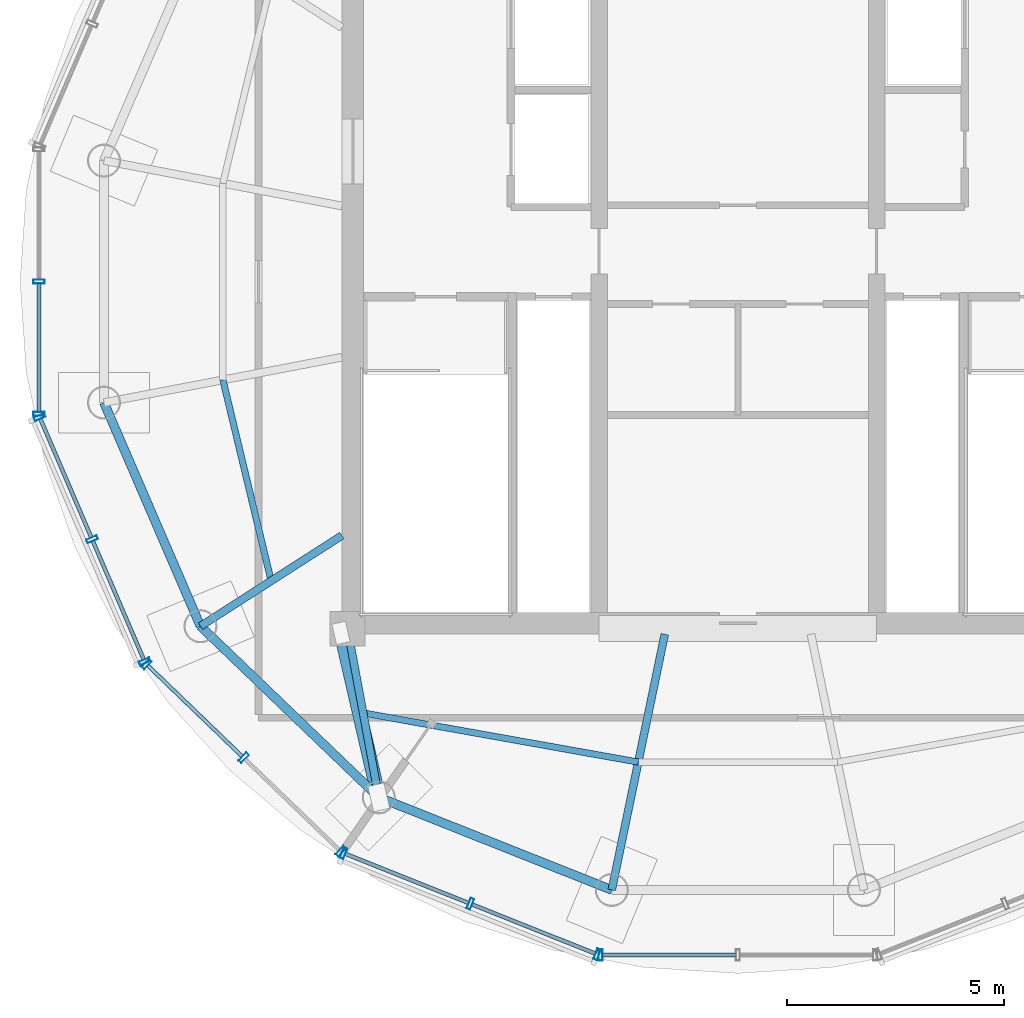
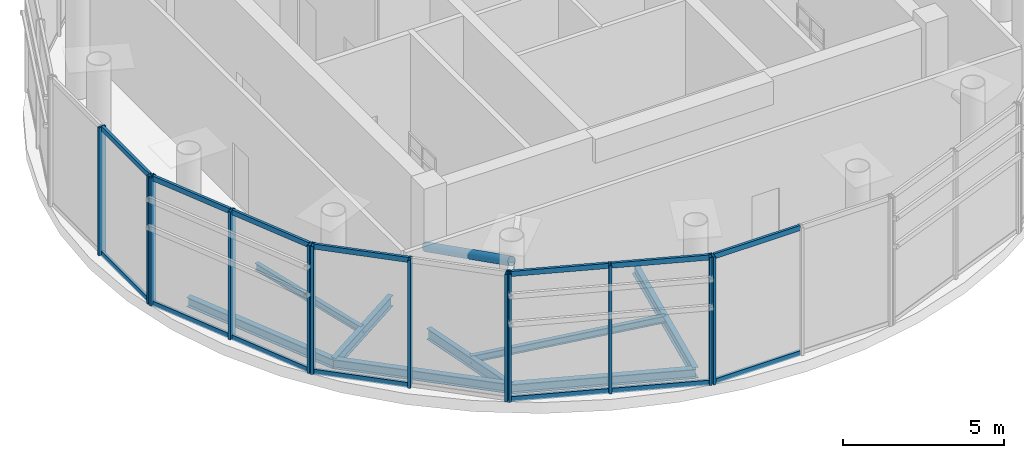
# One storey, part 2 of 13: 27 members, 8 beams, 5 elements without a shape of their own.
"""IFC4 building model written with IfcOpenShell, lengths in metres."""

from ifc_helpers import new_model, si_unit, direction, frame, origin, origin_2d, place, context, subcontext, project, spatial, hollow_rectangle, hollow_circle, i_section, extrude, source, transform, mapped, material, material_profile, profile_set, type_object, element, aggregate, save


model = new_model("IFC4")

# Units and contexts
model_context = context("Model", 3, precision=1e-05, world=origin(), true_north=direction((-0.2419218956, 0.970295726276)))
body_context = subcontext(model_context, "Body", "Model", "MODEL_VIEW")
ifc_project = project(units=[si_unit("LENGTHUNIT", "METRE"), si_unit("AREAUNIT", "SQUARE_METRE"), si_unit("VOLUMEUNIT", "CUBIC_METRE"), si_unit("PLANEANGLEUNIT", "RADIAN"), si_unit("MASSUNIT", "GRAM", prefix="KILO")], contexts=[model_context])

# Site, building, storey
site_placement = place(None, origin())
site = spatial("IfcSite", under=ifc_project, at=site_placement, CompositionType="ELEMENT")
building_placement = place(site_placement, origin())
building = spatial("IfcBuilding", under=site, at=building_placement, Name="Cobrevalo Terracotta Tower", CompositionType="ELEMENT")
storey_placement = place(building_placement, frame((0.0, 0.0, 332.10009765625)))
storey = spatial("IfcBuildingStorey", under=building, at=storey_placement, Name="L85", CompositionType="ELEMENT", Elevation=332.10009765625)

# Beams
ifc_material_1 = material(Name="Steel S355", Category="steel")
ifc_material_profile_1 = material_profile(ifc_material_1, i_section(OverallWidth=0.179931640625, OverallDepth=0.4130859375, WebThickness=0.009765625, FlangeThickness=0.01611328125, at=origin_2d()), Name="W 410x75")
ifc_profile_set_1 = profile_set([ifc_material_profile_1], Name="Steel S355")
beam_type_1 = type_object("IfcBeamType", Name="Structural Beam W 410x75 (Steel S355)", PredefinedType="BEAM", material=ifc_profile_set_1)
beam_1_placement = place(storey_placement, frame((25.611083984375, 18.855224609375, -0.626708984375), z_axis=(0.841794646381, 0.539797900444, 0.0), x_axis=(-0.539797900444, 0.841794646381, 0.0)))
element("IfcBeam", 1, at=beam_1_placement, inside=storey, type_object=beam_type_1, Name="L85 radial floor girder 10", PredefinedType="BEAM", context=body_context, shape_type="SweptSolid", body=[
    extrude(i_section(OverallWidth=0.179931640625, OverallDepth=0.4130859375, WebThickness=0.009765625, FlangeThickness=0.01611328125, at=origin_2d()), origin(), (0.0, 0.0, 1.0), 3.87158203125),
])
beam_2_placement = place(storey_placement, frame((29.721923828125, 14.909912109375, -0.626708984375), z_axis=(-0.182462670706, 0.983212781548, 0.0), x_axis=(-0.983212781548, -0.182462670706, 0.0)))
element("IfcBeam", 2, at=beam_2_placement, inside=storey, type_object=beam_type_1, Name="L85 radial floor girder 11", PredefinedType="BEAM", context=body_context, shape_type="SweptSolid", body=[
    extrude(i_section(OverallWidth=0.179931640625, OverallDepth=0.4130859375, WebThickness=0.009765625, FlangeThickness=0.01611328125, at=origin_2d()), origin(), (0.0, 0.0, 1.0), 3.95654296875),
])
beam_3_placement = place(storey_placement, frame((35.09326171875, 12.774658203125, -0.626708984375), z_axis=(0.202919370173, 0.979195449953, 0.0), x_axis=(-0.979195449953, 0.202919370173, 0.0)))
element("IfcBeam", 3, at=beam_3_placement, inside=storey, type_object=beam_type_1, Name="L85 radial floor girder 12", PredefinedType="BEAM", context=body_context, shape_type="SweptSolid", body=[
    extrude(i_section(OverallWidth=0.179931640625, OverallDepth=0.4130859375, WebThickness=0.009765625, FlangeThickness=0.01611328125, at=origin_2d()), origin(), (0.0, 0.0, 1.0), 6.0205078125),
])
ifc_material_profile_2 = material_profile(ifc_material_1, i_section(OverallWidth=0.14794921875, OverallDepth=0.26611328125, WebThickness=0.007568359375, FlangeThickness=0.012939453125, at=origin_2d()), Name="W 250x44.8")
ifc_profile_set_2 = profile_set([ifc_material_profile_2], Name="Steel S355")
beam_type_2 = type_object("IfcBeamType", Name="Structural Joist W 250x44.8 (Steel S355)", PredefinedType="JOIST", material=ifc_profile_set_2)
beam_4_placement = place(storey_placement, frame((26.128173828125, 24.53369140625, -0.552978515625), z_axis=(0.233423333819, -0.972375209078, 0.0), x_axis=(0.972375209078, 0.233423333819, 0.0)))
element("IfcBeam", 4, at=beam_4_placement, inside=storey, type_object=beam_type_2, Name="L85 circumferential secondary floor joist 09", PredefinedType="JOIST", context=body_context, shape_type="SweptSolid", body=[
    extrude(i_section(OverallWidth=0.14794921875, OverallDepth=0.26611328125, WebThickness=0.007568359375, FlangeThickness=0.012939453125, at=origin_2d()), origin(), (0.0, 0.0, 1.0), 4.76513671875),
])
beam_5_placement = place(storey_placement, frame((29.361083984375, 16.85498046875, -0.552978515625), z_axis=(0.984430619707, -0.175773590117, 0.0), x_axis=(0.175773590117, 0.984430619707, 0.0)))
element("IfcBeam", 5, at=beam_5_placement, inside=storey, type_object=beam_type_2, Name="L85 circumferential secondary floor joist 11", PredefinedType="JOIST", context=body_context, shape_type="SweptSolid", body=[
    extrude(i_section(OverallWidth=0.14794921875, OverallDepth=0.26611328125, WebThickness=0.007568359375, FlangeThickness=0.012939453125, at=origin_2d()), origin(), (0.0, 0.0, 1.0), 6.443359375),
])
ifc_material_profile_3 = material_profile(ifc_material_1, i_section(OverallWidth=0.205078125, OverallDepth=0.35400390625, WebThickness=0.009521484375, FlangeThickness=0.016845703125, at=origin_2d()), Name="W 360x79")
ifc_profile_set_3 = profile_set([ifc_material_profile_3], Name="Steel S355")
beam_type_3 = type_object("IfcBeamType", Name="Structural Spandrel W 360x79 (Steel S355)", PredefinedType="SPANDREL", material=ifc_profile_set_3)
beam_6_placement = place(storey_placement, frame((23.38623046875, 24.01025390625, -0.59716796875), z_axis=(0.396258594602, -0.918138947112, 0.0), x_axis=(0.918138947112, 0.396258594602, 0.0)))
element("IfcBeam", 6, at=beam_6_placement, inside=storey, type_object=beam_type_3, Name="L85 perimeter ring spandrel 09", PredefinedType="SPANDREL", context=body_context, shape_type="SweptSolid", body=[
    extrude(i_section(OverallWidth=0.205078125, OverallDepth=0.35400390625, WebThickness=0.009521484375, FlangeThickness=0.016845703125, at=origin_2d()), origin(), (0.0, 0.0, 1.0), 5.61474609375),
])
beam_7_placement = place(storey_placement, frame((25.611083984375, 18.855224609375, -0.59716796875), z_axis=(0.72148321486, -0.69243192494, 0.0), x_axis=(0.69243192494, 0.72148321486, 0.0)))
element("IfcBeam", 7, at=beam_7_placement, inside=storey, type_object=beam_type_3, Name="L85 perimeter ring spandrel 10", PredefinedType="SPANDREL", context=body_context, shape_type="SweptSolid", body=[
    extrude(i_section(OverallWidth=0.205078125, OverallDepth=0.35400390625, WebThickness=0.009521484375, FlangeThickness=0.016845703125, at=origin_2d()), origin(), (0.0, 0.0, 1.0), 5.69775390625),
])
beam_8_placement = place(storey_placement, frame((29.721923828125, 14.909912109375, -0.59716796875), z_axis=(0.929266894942, -0.369409038824, 0.0), x_axis=(0.369409038824, 0.929266894942, 0.0)))
element("IfcBeam", 8, at=beam_8_placement, inside=storey, type_object=beam_type_3, Name="L85 perimeter ring spandrel 11", PredefinedType="SPANDREL", context=body_context, shape_type="SweptSolid", body=[
    extrude(i_section(OverallWidth=0.205078125, OverallDepth=0.35400390625, WebThickness=0.009521484375, FlangeThickness=0.016845703125, at=origin_2d()), origin(), (0.0, 0.0, 1.0), 5.7802734375),
])

# Member
ifc_material_profile_4 = material_profile(ifc_material_1, hollow_circle(Radius=0.162109375, WallThickness=0.013916015625, at=origin_2d()), Name="CHS 324x14")
ifc_profile_set_4 = profile_set([ifc_material_profile_4], Name="Steel S355")
member_type_1 = type_object("IfcMemberType", Name="Steel Brace CHS 324x14 (Steel S355)", PredefinedType="BRACE", material=ifc_profile_set_4)
shared_shape_1 = source(origin(), body_context, "Body", "SweptSolid", [
    extrude(hollow_circle(Radius=0.162109375, WallThickness=0.013916015625, at=origin_2d()), origin(), (0.0, 0.0, 1.0), 4.150634765625),
])
member_1_placement = place(storey_placement, frame((28.85009765625, 18.699951171875, 2.75), z_axis=(0.210052159385, -0.913147499943, 0.349341857908), x_axis=(0.974548603832, 0.224176311794, 0.0)))
element("IfcMember", 9, at=member_1_placement, inside=storey, type_object=member_type_1, Name="L85 CROWN FRAME radial brace 03", PredefinedType="BRACE", context=body_context, shape_type="MappedRepresentation", body=[
    mapped(shared_shape_1, transform((0.0, 0.0, 0.0), scale=1.0)),
])

# Curtain wall, members
ifc_material_2 = material(Name="Anodized aluminium", Category="aluminium")
curtain_wall_type = type_object("IfcCurtainWallType", Name="Faceted glass-point crown structural glazing system CW-CR", PredefinedType="NOTDEFINED", material=ifc_material_2)
curtain_wall_1_placement = place(storey_placement, origin())
curtain_wall_1 = element("IfcCurtainWall", 10, at=curtain_wall_1_placement, inside=storey, type_object=curtain_wall_type, Name="L85 curtain wall CW-CRN-L85-S09", PredefinedType="NOTDEFINED")
ifc_material_profile_5 = material_profile(ifc_material_2, hollow_rectangle(XDim=0.090087890625, YDim=0.195068359375, WallThickness=0.005615234375, at=origin_2d()), Name="CWT 90x195")
ifc_profile_set_5 = profile_set([ifc_material_profile_5], Name="Anodized aluminium")
member_type_2 = type_object("IfcMemberType", Name="Crown structural aluminium transom 90x195", PredefinedType="USERDEFINED", material=ifc_profile_set_5)
shared_shape_2 = source(origin(), body_context, "Body", "SweptSolid", [
    extrude(hollow_rectangle(XDim=0.090087890625, YDim=0.195068359375, WallThickness=0.005615234375, at=origin_2d()), origin(), (0.0, 0.0, 1.0), 2.985595703125),
])
member_2_placement = place(storey_placement, frame((21.917236328125, 23.63818359375, 0.0498046875), z_axis=(0.39495528775, -0.918700343245, 0.0), x_axis=(0.918700343245, 0.39495528775, 0.0)))
member_2 = element("IfcMember", 11, at=member_2_placement, type_object=member_type_2, Name="CW-CRN-L85-S09 transom B01-T1", ObjectType="TRANSOM", PredefinedType="USERDEFINED", context=body_context, shape_type="MappedRepresentation", body=[
    mapped(shared_shape_2, transform((0.0, 0.0, 0.0), scale=1.0)),
])
member_3_placement = place(storey_placement, frame((21.917236328125, 23.63818359375, 4.7998046875), z_axis=(0.39495528775, -0.918700343245, 0.0), x_axis=(0.918700343245, 0.39495528775, 0.0)))
member_3 = element("IfcMember", 12, at=member_3_placement, type_object=member_type_2, Name="CW-CRN-L85-S09 transom B01-T2", ObjectType="TRANSOM", PredefinedType="USERDEFINED", context=body_context, shape_type="MappedRepresentation", body=[
    mapped(shared_shape_2, transform((0.0, 0.0, 0.0), scale=1.0)),
])
member_4_placement = place(storey_placement, frame((23.128173828125, 20.82177734375, 0.0498046875), z_axis=(0.39495528775, -0.918700343245, 0.0), x_axis=(0.918700343245, 0.39495528775, 0.0)))
member_4 = element("IfcMember", 13, at=member_4_placement, type_object=member_type_2, Name="CW-CRN-L85-S09 transom B02-T1", ObjectType="TRANSOM", PredefinedType="USERDEFINED", context=body_context, shape_type="MappedRepresentation", body=[
    mapped(shared_shape_2, transform((0.0, 0.0, 0.0), scale=1.0)),
])
member_5_placement = place(storey_placement, frame((23.128173828125, 20.82177734375, 4.7998046875), z_axis=(0.39495528775, -0.918700343245, 0.0), x_axis=(0.918700343245, 0.39495528775, 0.0)))
member_5 = element("IfcMember", 14, at=member_5_placement, type_object=member_type_2, Name="CW-CRN-L85-S09 transom B02-T2", ObjectType="TRANSOM", PredefinedType="USERDEFINED", context=body_context, shape_type="MappedRepresentation", body=[
    mapped(shared_shape_2, transform((0.0, 0.0, 0.0), scale=1.0)),
])

curtain_wall_2_placement = place(storey_placement, origin())
curtain_wall_2 = element("IfcCurtainWall", 15, at=curtain_wall_2_placement, inside=storey, type_object=curtain_wall_type, Name="L85 curtain wall CW-CRN-L85-S11", PredefinedType="NOTDEFINED")
shared_shape_3 = source(origin(), body_context, "Body", "SweptSolid", [
    extrude(hollow_rectangle(XDim=0.090087890625, YDim=0.195068359375, WallThickness=0.005615234375, at=origin_2d()), origin(), (0.0, 0.0, 1.0), 3.068359375),
])
member_6_placement = place(storey_placement, frame((28.9462890625, 13.608154296875, 0.0498046875), z_axis=(0.928783665668, -0.370622317715, 0.0), x_axis=(0.370622317715, 0.928783665668, 0.0)))
member_6 = element("IfcMember", 16, at=member_6_placement, type_object=member_type_2, Name="CW-CRN-L85-S11 transom B01-T1", ObjectType="TRANSOM", PredefinedType="USERDEFINED", context=body_context, shape_type="MappedRepresentation", body=[
    mapped(shared_shape_3, transform((0.0, 0.0, 0.0), scale=1.0)),
])
member_7_placement = place(storey_placement, frame((28.9462890625, 13.608154296875, 4.7998046875), z_axis=(0.928783665668, -0.370622317715, 0.0), x_axis=(0.370622317715, 0.928783665668, 0.0)))
member_7 = element("IfcMember", 17, at=member_7_placement, type_object=member_type_2, Name="CW-CRN-L85-S11 transom B01-T2", ObjectType="TRANSOM", PredefinedType="USERDEFINED", context=body_context, shape_type="MappedRepresentation", body=[
    mapped(shared_shape_3, transform((0.0, 0.0, 0.0), scale=1.0)),
])
shared_shape_4 = source(origin(), body_context, "Body", "SweptSolid", [
    extrude(hollow_rectangle(XDim=0.090087890625, YDim=0.195068359375, WallThickness=0.005615234375, at=origin_2d()), origin(), (0.0, 0.0, 1.0), 3.068603515625),
])
member_8_placement = place(storey_placement, frame((31.870361328125, 12.441162109375, 0.0498046875), z_axis=(0.928767206697, -0.370663561419, 0.0), x_axis=(0.370663561419, 0.928767206697, 0.0)))
member_8 = element("IfcMember", 18, at=member_8_placement, type_object=member_type_2, Name="CW-CRN-L85-S11 transom B02-T1", ObjectType="TRANSOM", PredefinedType="USERDEFINED", context=body_context, shape_type="MappedRepresentation", body=[
    mapped(shared_shape_4, transform((0.0, 0.0, 0.0), scale=1.0)),
])
member_9_placement = place(storey_placement, frame((31.870361328125, 12.441162109375, 4.7998046875), z_axis=(0.928767206697, -0.370663561419, 0.0), x_axis=(0.370663561419, 0.928767206697, 0.0)))
member_9 = element("IfcMember", 19, at=member_9_placement, type_object=member_type_2, Name="CW-CRN-L85-S11 transom B02-T2", ObjectType="TRANSOM", PredefinedType="USERDEFINED", context=body_context, shape_type="MappedRepresentation", body=[
    mapped(shared_shape_4, transform((0.0, 0.0, 0.0), scale=1.0)),
])

curtain_wall_3_placement = place(storey_placement, origin())
curtain_wall_3 = element("IfcCurtainWall", 20, at=curtain_wall_3_placement, inside=storey, type_object=curtain_wall_type, Name="L85 curtain wall CW-CRN-L85-S12", PredefinedType="NOTDEFINED")
shared_shape_5 = source(origin(), body_context, "Body", "SweptSolid", [
    extrude(hollow_rectangle(XDim=0.090087890625, YDim=0.195068359375, WallThickness=0.005615234375, at=origin_2d()), origin(), (0.0, 0.0, 1.0), 3.085205078125),
])
member_10_placement = place(storey_placement, frame((34.874755859375, 11.274169921875, 0.0498046875), z_axis=(1.0, 0.0, 0.0), x_axis=(0.0, 1.0, 0.0)))
member_10 = element("IfcMember", 21, at=member_10_placement, type_object=member_type_2, Name="CW-CRN-L85-S12 transom B01-T1", ObjectType="TRANSOM", PredefinedType="USERDEFINED", context=body_context, shape_type="MappedRepresentation", body=[
    mapped(shared_shape_5, transform((0.0, 0.0, 0.0), scale=1.0)),
])
member_11_placement = place(storey_placement, frame((34.874755859375, 11.274169921875, 4.7998046875), z_axis=(1.0, 0.0, 0.0), x_axis=(0.0, 1.0, 0.0)))
member_11 = element("IfcMember", 22, at=member_11_placement, type_object=member_type_2, Name="CW-CRN-L85-S12 transom B01-T2", ObjectType="TRANSOM", PredefinedType="USERDEFINED", context=body_context, shape_type="MappedRepresentation", body=[
    mapped(shared_shape_5, transform((0.0, 0.0, 0.0), scale=1.0)),
])

curtain_wall_4_placement = place(storey_placement, origin())
curtain_wall_4 = element("IfcCurtainWall", 23, at=curtain_wall_4_placement, inside=storey, type_object=curtain_wall_type, Name="L85 curtain wall CW-CRN-L85-S08", PredefinedType="NOTDEFINED")
shared_shape_6 = source(origin(), body_context, "Body", "SweptSolid", [
    extrude(hollow_rectangle(XDim=0.090087890625, YDim=0.195068359375, WallThickness=0.005615234375, at=origin_2d()), origin(), (0.0, 0.0, 1.0), 2.96826171875),
])
member_12_placement = place(storey_placement, frame((21.8857421875, 26.760009765625, 0.0498046875), z_axis=(0.0, -1.0, 0.0), x_axis=(1.0, 0.0, 0.0)))
member_12 = element("IfcMember", 24, at=member_12_placement, type_object=member_type_2, Name="CW-CRN-L85-S08 transom B02-T1", ObjectType="TRANSOM", PredefinedType="USERDEFINED", context=body_context, shape_type="MappedRepresentation", body=[
    mapped(shared_shape_6, transform((0.0, 0.0, 0.0), scale=1.0)),
])
member_13_placement = place(storey_placement, frame((21.8857421875, 26.760009765625, 4.7998046875), z_axis=(0.0, -1.0, 0.0), x_axis=(1.0, 0.0, 0.0)))
member_13 = element("IfcMember", 25, at=member_13_placement, type_object=member_type_2, Name="CW-CRN-L85-S08 transom B02-T2", ObjectType="TRANSOM", PredefinedType="USERDEFINED", context=body_context, shape_type="MappedRepresentation", body=[
    mapped(shared_shape_6, transform((0.0, 0.0, 0.0), scale=1.0)),
])

curtain_wall_5_placement = place(storey_placement, origin())
curtain_wall_5 = element("IfcCurtainWall", 26, at=curtain_wall_5_placement, inside=storey, type_object=curtain_wall_type, Name="L85 curtain wall CW-CRN-L85-S10", PredefinedType="NOTDEFINED")
shared_shape_7 = source(origin(), body_context, "Body", "SweptSolid", [
    extrude(hollow_rectangle(XDim=0.090087890625, YDim=0.195068359375, WallThickness=0.005615234375, at=origin_2d()), origin(), (0.0, 0.0, 1.0), 3.02734375),
])
member_14_placement = place(storey_placement, frame((24.396484375, 17.94970703125, 0.0498046875), z_axis=(0.72016946581, -0.693798198697, 0.0), x_axis=(0.693798198697, 0.72016946581, 0.0)))
member_14 = element("IfcMember", 27, at=member_14_placement, type_object=member_type_2, Name="CW-CRN-L85-S10 transom B01-T1", ObjectType="TRANSOM", PredefinedType="USERDEFINED", context=body_context, shape_type="MappedRepresentation", body=[
    mapped(shared_shape_7, transform((0.0, 0.0, 0.0), scale=1.0)),
])
member_15_placement = place(storey_placement, frame((24.396484375, 17.94970703125, 4.7998046875), z_axis=(0.72016946581, -0.693798198697, 0.0), x_axis=(0.693798198697, 0.72016946581, 0.0)))
member_15 = element("IfcMember", 28, at=member_15_placement, type_object=member_type_2, Name="CW-CRN-L85-S10 transom B01-T2", ObjectType="TRANSOM", PredefinedType="USERDEFINED", context=body_context, shape_type="MappedRepresentation", body=[
    mapped(shared_shape_7, transform((0.0, 0.0, 0.0), scale=1.0)),
])

# Member
ifc_material_profile_6 = material_profile(ifc_material_2, hollow_rectangle(XDim=0.090087890625, YDim=0.260009765625, WallThickness=0.006103515625, at=origin_2d()), Name="CWM 90x260")
ifc_profile_set_6 = profile_set([ifc_material_profile_6], Name="Anodized aluminium")
member_type_3 = type_object("IfcMemberType", Name="Crown structural glass mullion 90x260", PredefinedType="MULLION", material=ifc_profile_set_6)
shared_shape_8 = source(origin(), body_context, "Body", "SweptSolid", [
    extrude(hollow_rectangle(XDim=0.090087890625, YDim=0.260009765625, WallThickness=0.006103515625, at=origin_2d()), origin(), (0.0, 0.0, 1.0), 4.849853515625),
])
member_16_placement = place(storey_placement, frame((21.8857421875, 26.800048828125, 0.0), z_axis=(0.0, 0.0, 1.0), x_axis=(0.0, -1.0, 0.0)))
member_16 = element("IfcMember", 29, at=member_16_placement, type_object=member_type_3, Name="CW-CRN-L85-S08 vertical mullion 02", PredefinedType="MULLION", context=body_context, shape_type="MappedRepresentation", body=[
    mapped(shared_shape_8, transform((0.0, 0.0, 0.0), scale=1.0)),
])

member_17_placement = place(storey_placement, frame((21.8857421875, 23.751708984375, 0.0), z_axis=(0.0, 0.0, 1.0), x_axis=(0.0, -1.0, 0.0)))
member_17 = element("IfcMember", 30, at=member_17_placement, type_object=member_type_3, Name="CW-CRN-L85-S08 vertical mullion 03", PredefinedType="MULLION", context=body_context, shape_type="MappedRepresentation", body=[
    mapped(shared_shape_8, transform((0.0, 0.0, 0.0), scale=1.0)),
])

aggregate(curtain_wall_4, [member_16, member_17, member_12, member_13])

member_18_placement = place(storey_placement, frame((21.901611328125, 23.675048828125, 0.0), z_axis=(0.0, 0.0, 1.0), x_axis=(0.394968347643, -0.918694728602, 0.0)))
member_18 = element("IfcMember", 31, at=member_18_placement, type_object=member_type_3, Name="CW-CRN-L85-S09 vertical mullion 01", PredefinedType="MULLION", context=body_context, shape_type="MappedRepresentation", body=[
    mapped(shared_shape_8, transform((0.0, 0.0, 0.0), scale=1.0)),
])

member_19_placement = place(storey_placement, frame((23.1123046875, 20.858642578125, 0.0), z_axis=(0.0, 0.0, 1.0), x_axis=(0.394968347643, -0.918694728602, 0.0)))
member_19 = element("IfcMember", 32, at=member_19_placement, type_object=member_type_3, Name="CW-CRN-L85-S09 vertical mullion 02", PredefinedType="MULLION", context=body_context, shape_type="MappedRepresentation", body=[
    mapped(shared_shape_8, transform((0.0, 0.0, 0.0), scale=1.0)),
])

member_20_placement = place(storey_placement, frame((24.3232421875, 18.0419921875, 0.0), z_axis=(0.0, 0.0, 1.0), x_axis=(0.394968347643, -0.918694728602, 0.0)))
member_20 = element("IfcMember", 33, at=member_20_placement, type_object=member_type_3, Name="CW-CRN-L85-S09 vertical mullion 03", PredefinedType="MULLION", context=body_context, shape_type="MappedRepresentation", body=[
    mapped(shared_shape_8, transform((0.0, 0.0, 0.0), scale=1.0)),
])

aggregate(curtain_wall_1, [member_18, member_19, member_20, member_2, member_3, member_4, member_5])

member_21_placement = place(storey_placement, frame((24.36767578125, 17.9775390625, 0.0), z_axis=(0.0, 0.0, 1.0), x_axis=(0.72013951191, -0.693829289801, 0.0)))
member_21 = element("IfcMember", 34, at=member_21_placement, type_object=member_type_3, Name="CW-CRN-L85-S10 vertical mullion 01", PredefinedType="MULLION", context=body_context, shape_type="MappedRepresentation", body=[
    mapped(shared_shape_8, transform((0.0, 0.0, 0.0), scale=1.0)),
])

member_22_placement = place(storey_placement, frame((26.60546875, 15.821533203125, 0.0), z_axis=(0.0, 0.0, 1.0), x_axis=(0.72013951191, -0.693829289801, 0.0)))
member_22 = element("IfcMember", 35, at=member_22_placement, type_object=member_type_3, Name="CW-CRN-L85-S10 vertical mullion 02", PredefinedType="MULLION", context=body_context, shape_type="MappedRepresentation", body=[
    mapped(shared_shape_8, transform((0.0, 0.0, 0.0), scale=1.0)),
])

member_23_placement = place(storey_placement, frame((28.84326171875, 13.66552734375, 0.0), z_axis=(0.0, 0.0, 1.0), x_axis=(0.72013951191, -0.693829289801, 0.0)))
member_23 = element("IfcMember", 36, at=member_23_placement, type_object=member_type_3, Name="CW-CRN-L85-S10 vertical mullion 03", PredefinedType="MULLION", context=body_context, shape_type="MappedRepresentation", body=[
    mapped(shared_shape_8, transform((0.0, 0.0, 0.0), scale=1.0)),
])

aggregate(curtain_wall_5, [member_21, member_22, member_23, member_14, member_15])

member_24_placement = place(storey_placement, frame((28.9091796875, 13.623046875, 0.0), z_axis=(0.0, 0.0, 1.0), x_axis=(0.928770743095, -0.370654700187, 0.0)))
member_24 = element("IfcMember", 37, at=member_24_placement, type_object=member_type_3, Name="CW-CRN-L85-S11 vertical mullion 01", PredefinedType="MULLION", context=body_context, shape_type="MappedRepresentation", body=[
    mapped(shared_shape_8, transform((0.0, 0.0, 0.0), scale=1.0)),
])

member_25_placement = place(storey_placement, frame((31.833251953125, 12.4560546875, 0.0), z_axis=(0.0, 0.0, 1.0), x_axis=(0.928770743095, -0.370654700187, 0.0)))
member_25 = element("IfcMember", 38, at=member_25_placement, type_object=member_type_3, Name="CW-CRN-L85-S11 vertical mullion 02", PredefinedType="MULLION", context=body_context, shape_type="MappedRepresentation", body=[
    mapped(shared_shape_8, transform((0.0, 0.0, 0.0), scale=1.0)),
])

member_26_placement = place(storey_placement, frame((34.757568359375, 11.2890625, 0.0), z_axis=(0.0, 0.0, 1.0), x_axis=(0.928770743095, -0.370654700187, 0.0)))
member_26 = element("IfcMember", 39, at=member_26_placement, type_object=member_type_3, Name="CW-CRN-L85-S11 vertical mullion 03", PredefinedType="MULLION", context=body_context, shape_type="MappedRepresentation", body=[
    mapped(shared_shape_8, transform((0.0, 0.0, 0.0), scale=1.0)),
])

aggregate(curtain_wall_2, [member_24, member_25, member_26, member_6, member_7, member_8, member_9])

member_27_placement = place(storey_placement, frame((34.834716796875, 11.274169921875, 0.0), z_axis=(0.0, 0.0, 1.0), x_axis=(1.0, 0.0, 0.0)))
member_27 = element("IfcMember", 40, at=member_27_placement, type_object=member_type_3, Name="CW-CRN-L85-S12 vertical mullion 01", PredefinedType="MULLION", context=body_context, shape_type="MappedRepresentation", body=[
    mapped(shared_shape_8, transform((0.0, 0.0, 0.0), scale=1.0)),
])

aggregate(curtain_wall_3, [member_27, member_10, member_11])

save(model, "model.ifc")
